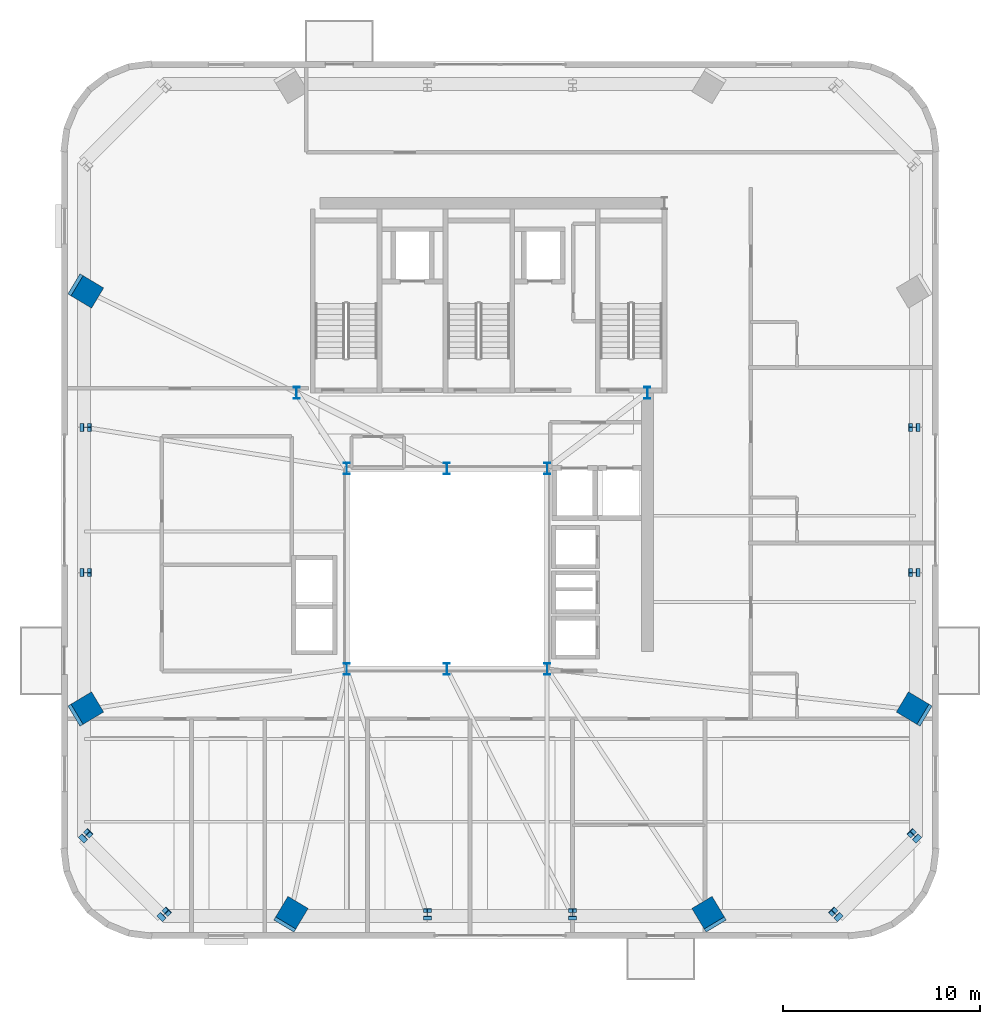
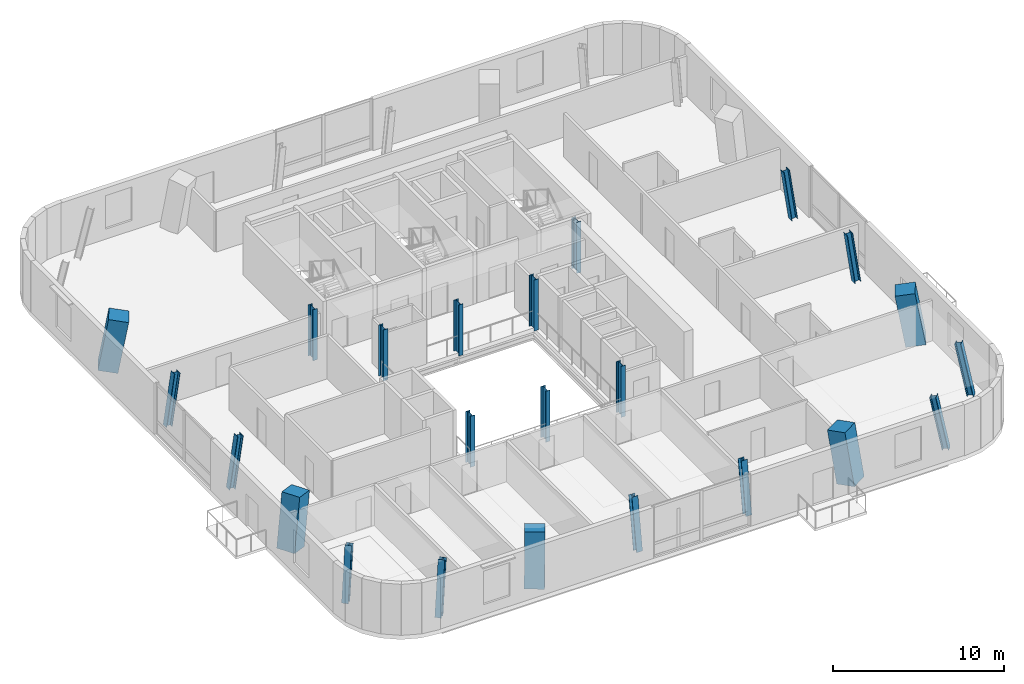
# One storey, part 1 of 15: 23 columns.
"""IFC4 building model written with IfcOpenShell, lengths in metres."""

from ifc_helpers import new_model, si_unit, direction, frame, origin, origin_2d, place, context, subcontext, project, spatial, rectangle, i_section, extrude, source, transform, mapped, material, material_profile, profile_set, type_object, element, save


model = new_model("IFC4")

# Units and contexts
model_context = context("Model", 3, precision=1e-05, world=origin(), true_north=direction((0.0, 1.0)))
body_context = subcontext(model_context, "Body", "Model", "MODEL_VIEW")
ifc_project = project(units=[si_unit("LENGTHUNIT", "METRE"), si_unit("AREAUNIT", "SQUARE_METRE"), si_unit("VOLUMEUNIT", "CUBIC_METRE"), si_unit("PLANEANGLEUNIT", "RADIAN"), si_unit("MASSUNIT", "GRAM", prefix="KILO")], contexts=[model_context])

# Site, building, storey
site_placement = place(None, origin())
site = spatial("IfcSite", under=ifc_project, at=site_placement, CompositionType="ELEMENT")
building_placement = place(site_placement, origin())
building = spatial("IfcBuilding", under=site, at=building_placement, Name="Vardaveli Station Tower", CompositionType="ELEMENT")
storey_placement = place(building_placement, frame((0.0, 0.0, 262.449951171875)))
storey = spatial("IfcBuildingStorey", under=building, at=storey_placement, Name="L67", CompositionType="ELEMENT", Elevation=262.449951171875)

# Columns
ifc_material_1 = material(Name="Structural steel S460M", Category="steel")
ifc_material_profile_1 = material_profile(ifc_material_1, i_section(OverallWidth=0.300048828125, OverallDepth=0.60009765625, WebThickness=0.015380859375, FlangeThickness=0.030029296875, FilletRadius=0.027099609375, at=origin_2d()), Name="HEB 600")
ifc_profile_set_1 = profile_set([ifc_material_profile_1], Name="Structural steel S460M")
column_type_1 = type_object("IfcColumnType", Name="COL-HEB600", PredefinedType="COLUMN", material=ifc_profile_set_1)
shared_shape_1 = source(origin(), body_context, "Body", "SweptSolid", [
    extrude(i_section(OverallWidth=0.300048828125, OverallDepth=0.60009765625, WebThickness=0.015380859375, FlangeThickness=0.030029296875, FilletRadius=0.027099609375, at=origin_2d()), origin(), (0.0, 0.0, 1.0), 3.650146484375),
])
for number, where, z_axis, x_axis, name in (
    (1, (31.199951171875, 16.60009765625, 0.0), (0.0, 0.0, 1.0), (1.0, 0.0, 0.0), "COL-L67-AC1"),
    (2, (36.300048828125, 16.60009765625, 0.0), (0.0, 0.0, 1.0), (1.0, 0.0, 0.0), "COL-L67-AC2"),
    (3, (41.39990234375, 16.60009765625, 0.0), (0.0, 0.0, 1.0), (1.0, 0.0, 0.0), "COL-L67-AC3"),
    (4, (41.39990234375, 26.800048828125, 0.0), (0.0, 0.0, 1.0), (1.0, 0.0, 0.0), "COL-L67-AC4"),
    (5, (36.300048828125, 26.800048828125, 0.0), (0.0, 0.0, 1.0), (1.0, 0.0, 0.0), "COL-L67-AC5"),
    (6, (31.199951171875, 26.800048828125, 0.0), (0.0, 0.0, 1.0), (1.0, 0.0, 0.0), "COL-L67-AC6"),
    (7, (28.64990234375, 30.64990234375, 0.0), (0.0, 0.0, 1.0), (1.0, 0.0, 0.0), "COL-L67-CC1"),
    (8, (46.5, 30.64990234375, 0.0), (0.0, 0.0, 1.0), (1.0, 0.0, 0.0), "COL-L67-CC2"),
):
    element("IfcColumn", number, at=place(storey_placement, frame(where, z_axis=z_axis, x_axis=x_axis)), inside=storey, type_object=column_type_1, Name=name, PredefinedType="COLUMN", context=body_context, shape_type="MappedRepresentation", body=[
        mapped(shared_shape_1, transform((0.0, 0.0, 0.0), scale=1.0)),
    ])
ifc_material_2 = material(Name="Concrete C50/60", Category="concrete")
ifc_material_profile_2 = material_profile(ifc_material_2, rectangle(XDim=1.199951171875, YDim=1.199951171875, at=origin_2d()), Name="MC 1200x1200")
ifc_profile_set_2 = profile_set([ifc_material_profile_2], Name="Concrete C50/60")
column_type_2 = type_object("IfcColumnType", Name="COL-MC-1200", PredefinedType="COLUMN", material=ifc_profile_set_2)
shared_shape_2 = source(origin(), body_context, "Body", "SweptSolid", [
    extrude(rectangle(XDim=1.199951171875, YDim=1.199951171875, at=origin_2d()), origin(), (0.0, 0.0, 1.0), 3.7041015625),
])
for number, where, z_axis, x_axis, name in (
    (9, (28.30810546875, 4.030029296875, 0.0), (0.087464377858, 0.145795933552, 0.985440778721), (-0.857527130037, 0.514438743924, 0.0), "COL-L67-MC1"),
    (10, (49.69189453125, 4.030029296875, 0.0), (-0.087464377858, 0.145795933552, 0.985440778721), (-0.857527130037, -0.514438743924, 0.0), "COL-L67-MC2"),
    (11, (60.169921875, 14.508056640625, 0.0), (-0.145795933552, 0.087464377858, 0.985440778721), (-0.514438743924, -0.857527130037, 0.0), "COL-L67-MC3"),
    (12, (17.830078125, 35.89208984375, 0.0), (0.145795933552, -0.087464377858, 0.985440778721), (0.514438743924, 0.857527130037, 0.0), "COL-L67-MC7"),
    (13, (17.830078125, 14.508056640625, 0.0), (0.145795933552, 0.087464377858, 0.985440778721), (-0.514438743924, 0.857527130037, 0.0), "COL-L67-MC8"),
):
    element("IfcColumn", number, at=place(storey_placement, frame(where, z_axis=z_axis, x_axis=x_axis)), inside=storey, type_object=column_type_2, Name=name, PredefinedType="COLUMN", context=body_context, shape_type="MappedRepresentation", body=[
        mapped(shared_shape_2, transform((0.0, 0.0, 0.0), scale=1.0)),
    ])
ifc_material_profile_3 = material_profile(ifc_material_1, i_section(OverallWidth=0.405029296875, OverallDepth=0.403076171875, WebThickness=0.017822265625, FlangeThickness=0.02783203125, FilletRadius=0.014892578125, at=origin_2d()), Name="HD 400x287")
ifc_profile_set_3 = profile_set([ifc_material_profile_3], Name="Structural steel S460M")
column_type_3 = type_object("IfcColumnType", Name="COL-HD287", PredefinedType="COLUMN", material=ifc_profile_set_3)
shared_shape_3 = source(origin(), body_context, "Body", "SweptSolid", [
    extrude(i_section(OverallWidth=0.405029296875, OverallDepth=0.403076171875, WebThickness=0.017822265625, FlangeThickness=0.02783203125, FilletRadius=0.014892578125, at=origin_2d()), origin(), (0.0, 0.0, 1.0), 3.729248046875),
])
for number, where, z_axis, x_axis, name in (
    (14, (21.830078125, 4.030029296875, 0.0), (0.144814060531, 0.144814060531, 0.978804258136), (-0.707106781187, 0.707106781187, 0.0), "COL-L67-PC01"),
    (15, (56.169921875, 4.030029296875, 0.0), (-0.144814060531, 0.144814060531, 0.978804258136), (-0.707106781187, -0.707106781187, 0.0), "COL-L67-PC04"),
    (16, (60.169921875, 8.030029296875, 0.0), (-0.144814060531, 0.144814060531, 0.978804258136), (-0.707106781187, -0.707106781187, 0.0), "COL-L67-PC05"),
    (17, (17.830078125, 8.030029296875, 0.0), (0.144814060531, 0.144814060531, 0.978804258136), (-0.707106781187, 0.707106781187, 0.0), "COL-L67-PC16"),
):
    element("IfcColumn", number, at=place(storey_placement, frame(where, z_axis=z_axis, x_axis=x_axis)), inside=storey, type_object=column_type_3, Name=name, PredefinedType="COLUMN", context=body_context, shape_type="MappedRepresentation", body=[
        mapped(shared_shape_3, transform((0.0, 0.0, 0.0), scale=1.0)),
    ])
shared_shape_4 = source(origin(), body_context, "Body", "SweptSolid", [
    extrude(i_section(OverallWidth=0.405029296875, OverallDepth=0.403076171875, WebThickness=0.017822265625, FlangeThickness=0.02783203125, FilletRadius=0.014892578125, at=origin_2d()), origin(), (0.0, 0.0, 1.0), 3.68994140625),
])
for number, where, z_axis, x_axis, name in (
    (18, (35.300048828125, 4.030029296875, 0.0), (0.0, 0.146356824444, 0.989231863588), (-1.0, 0.0, 0.0), "COL-L67-PC02"),
    (19, (42.699951171875, 4.030029296875, 0.0), (0.0, 0.146356824444, 0.989231863588), (-1.0, 0.0, 0.0), "COL-L67-PC03"),
    (20, (60.169921875, 21.5, 0.0), (-0.146356824444, 0.0, 0.989231863588), (0.0, -1.0, 0.0), "COL-L67-PC06"),
    (21, (60.169921875, 28.89990234375, 0.0), (-0.146356824444, 0.0, 0.989231863588), (0.0, -1.0, 0.0), "COL-L67-PC07"),
    (22, (17.830078125, 28.89990234375, 0.0), (0.146356824444, 0.0, 0.989231863588), (0.0, 1.0, 0.0), "COL-L67-PC14"),
    (23, (17.830078125, 21.5, 0.0), (0.146356824444, 0.0, 0.989231863588), (0.0, 1.0, 0.0), "COL-L67-PC15"),
):
    element("IfcColumn", number, at=place(storey_placement, frame(where, z_axis=z_axis, x_axis=x_axis)), inside=storey, type_object=column_type_3, Name=name, PredefinedType="COLUMN", context=body_context, shape_type="MappedRepresentation", body=[
        mapped(shared_shape_4, transform((0.0, 0.0, 0.0), scale=1.0)),
    ])

save(model, "model.ifc")
